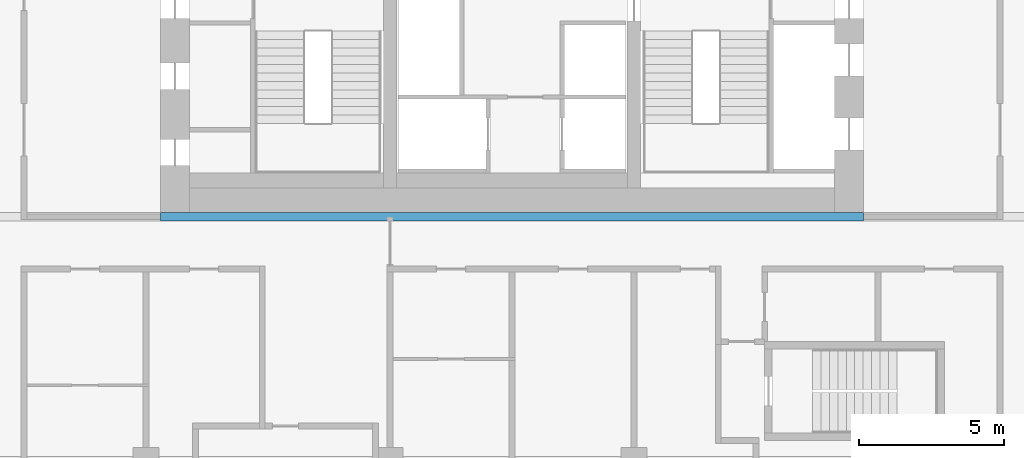
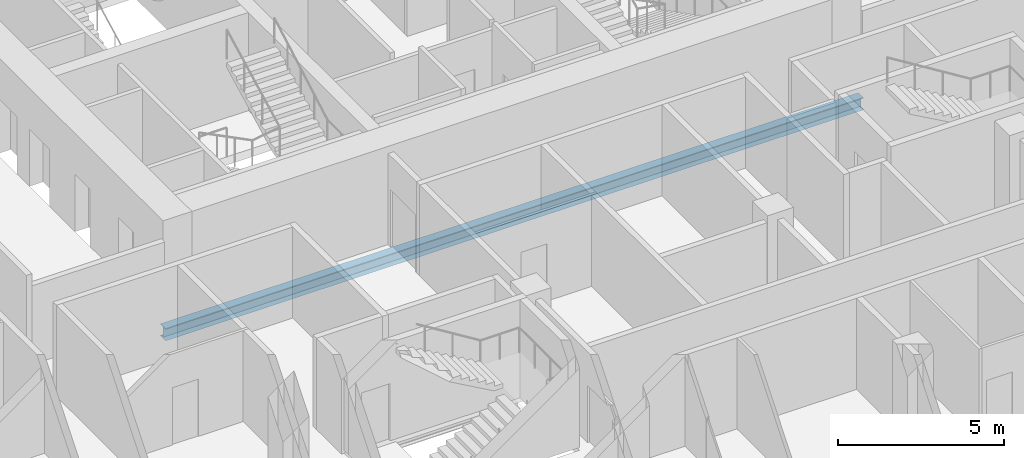
# One storey, part 5 of 23: 1 beam.
"""IFC4 building model written with IfcOpenShell, lengths in metres."""

from ifc_helpers import new_model, si_unit, direction, frame, origin, origin_2d, place, context, subcontext, project, spatial, i_section, extrude, material, material_profile, profile_set, type_object, element, save


model = new_model("IFC4")

# Units and contexts
model_context = context("Model", 3, precision=1e-05, world=origin(), true_north=direction((0.0, 1.0)))
body_context = subcontext(model_context, "Body", "Model", "MODEL_VIEW")
ifc_project = project(units=[si_unit("LENGTHUNIT", "METRE"), si_unit("AREAUNIT", "SQUARE_METRE"), si_unit("VOLUMEUNIT", "CUBIC_METRE"), si_unit("PLANEANGLEUNIT", "RADIAN"), si_unit("MASSUNIT", "GRAM", prefix="KILO")], contexts=[model_context])

# Site, building, storey
site_placement = place(None, origin())
site = spatial("IfcSite", under=ifc_project, at=site_placement, CompositionType="ELEMENT")
building_placement = place(site_placement, origin())
building = spatial("IfcBuilding", under=site, at=building_placement, Name="Marenta Gate Hotel Tower", CompositionType="ELEMENT")
storey_placement = place(building_placement, frame((0.0, 0.0, 155.300048828125)))
storey = spatial("IfcBuildingStorey", under=building, at=storey_placement, Name="L36", CompositionType="ELEMENT", Elevation=155.300048828125)

# Beam
ifc_material = material(Name="Steel S355", Category="steel")
ifc_material_profile = material_profile(ifc_material, i_section(OverallWidth=0.300048828125, OverallDepth=0.449951171875, WebThickness=0.013916015625, FlangeThickness=0.02587890625, FilletRadius=0.027099609375, at=origin_2d()), Name="HEB 450")
ifc_profile_set = profile_set([ifc_material_profile], Name="Steel S355")
beam_type = type_object("IfcBeamType", Name="Girder HEB 450", PredefinedType="BEAM", material=ifc_profile_set)
beam_placement = place(storey_placement, frame((-12.10009765625, 0.0, -0.485107421875), z_axis=(1.0, 0.0, 0.0), x_axis=(0.0, 1.0, 0.0)))
element("IfcBeam", 1, at=beam_placement, inside=storey, type_object=beam_type, Name="L36-GD-17", PredefinedType="BEAM", context=body_context, shape_type="SweptSolid", body=[
    extrude(i_section(OverallWidth=0.300048828125, OverallDepth=0.449951171875, WebThickness=0.013916015625, FlangeThickness=0.02587890625, FilletRadius=0.027099609375, at=origin_2d()), origin(), (0.0, 0.0, 1.0), 24.2001953125),
])

save(model, "model.ifc")
